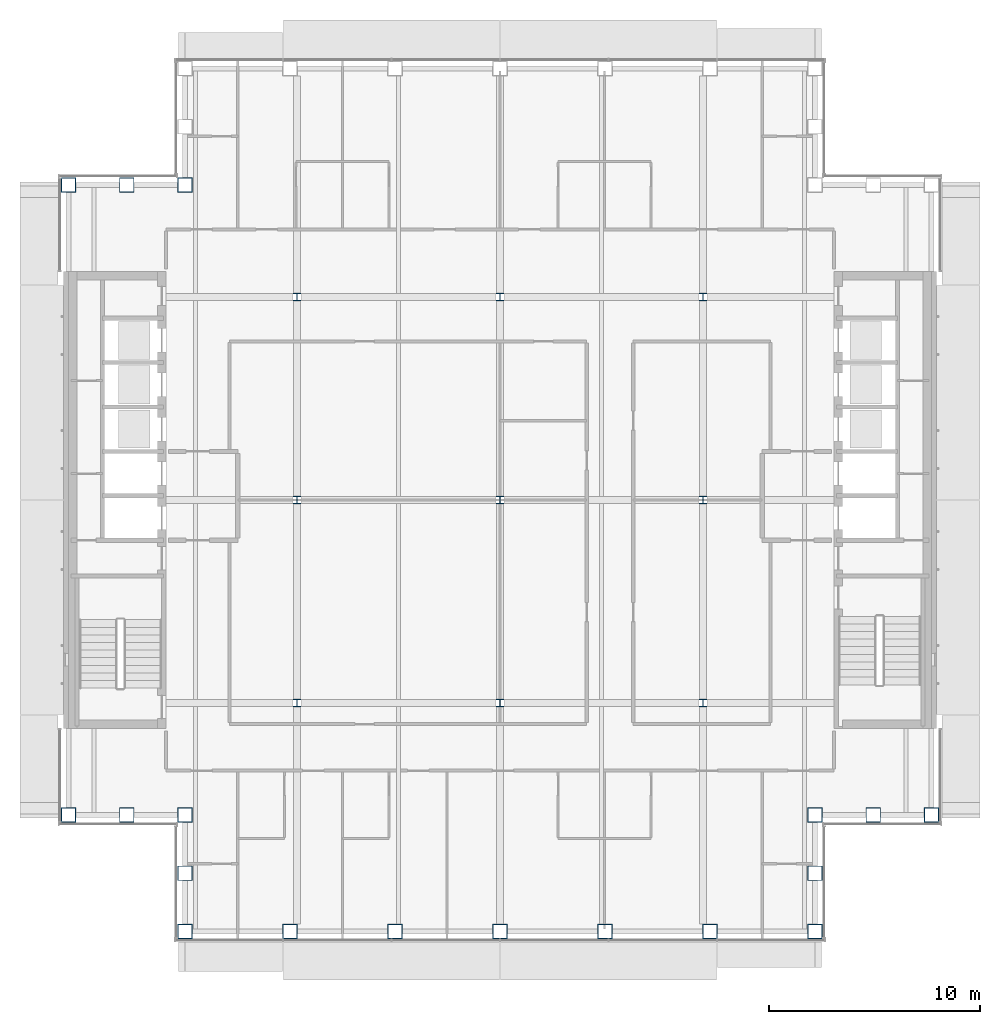
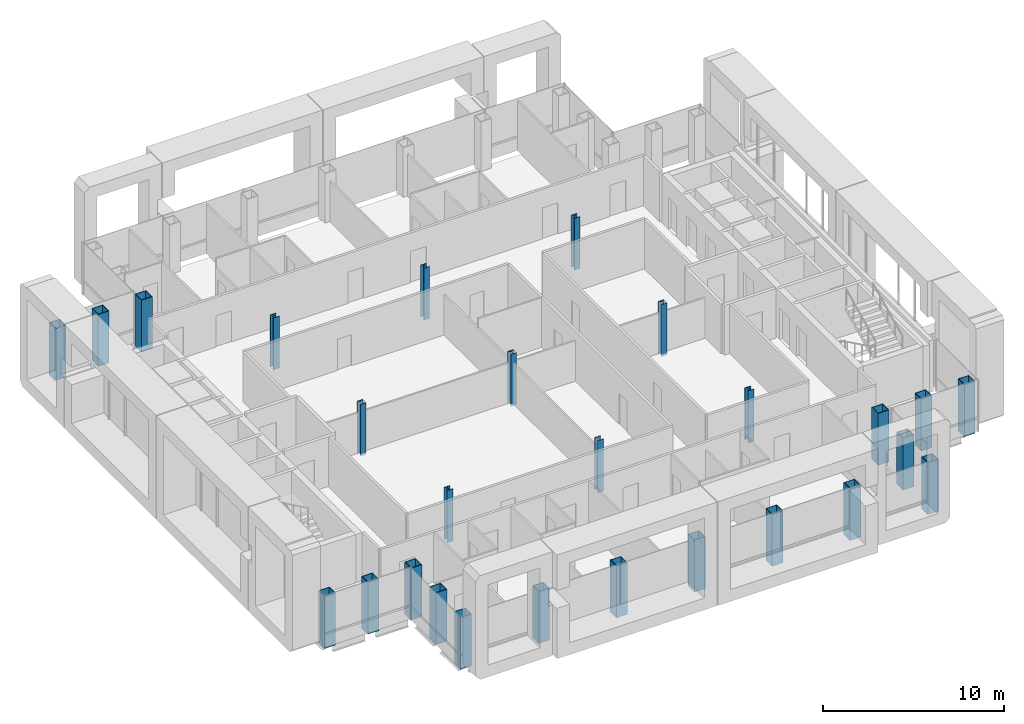
# One storey, part 1 of 19: 27 columns.
"""IFC4 building model written with IfcOpenShell, lengths in metres."""

from ifc_helpers import new_model, si_unit, direction, frame, origin, origin_2d, place, context, subcontext, project, spatial, hollow_rectangle, i_section, extrude, material, material_profile, profile_set, type_object, element, save


model = new_model("IFC4")

# Units and contexts
model_context = context("Model", 3, precision=1e-05, world=origin(), true_north=direction((0.0, 1.0)))
body_context = subcontext(model_context, "Body", "Model", "MODEL_VIEW")
ifc_project = project(units=[si_unit("LENGTHUNIT", "METRE"), si_unit("AREAUNIT", "SQUARE_METRE"), si_unit("VOLUMEUNIT", "CUBIC_METRE"), si_unit("PLANEANGLEUNIT", "RADIAN"), si_unit("MASSUNIT", "GRAM", prefix="KILO")], contexts=[model_context])

# Site, building, storey
site_placement = place(None, origin())
site = spatial("IfcSite", under=ifc_project, at=site_placement, CompositionType="ELEMENT")
building_placement = place(site_placement, origin())
building = spatial("IfcBuilding", under=site, at=building_placement, Name="Cobrizo Arcos Hotel Tower", CompositionType="ELEMENT")
storey_placement = place(building_placement, frame((0.0, 0.0, 205.0)))
storey = spatial("IfcBuildingStorey", under=building, at=storey_placement, Name="L53", CompositionType="ELEMENT", Elevation=205.0)

# Columns
ifc_material_1 = material(Name="Steel ASTM A572 Grade 50", Category="steel")
ifc_material_profile_1 = material_profile(ifc_material_1, hollow_rectangle(XDim=0.699951171875, YDim=0.699951171875, WallThickness=0.0400390625, at=origin_2d()), Name="BOX 700X700X40")
ifc_profile_set_1 = profile_set([ifc_material_profile_1], Name="Steel ASTM A572 Grade 50")
column_type_1 = type_object("IfcColumnType", Name="BOX 700X700X40 column", PredefinedType="COLUMN", material=ifc_profile_set_1)
for number, where, z_axis, x_axis, name in (
    (1, (-14.89990234375, -20.39990234375, -0.14990234375), (0.0, 0.0, 1.0), (1.0, 0.0, 0.0), "Perimeter column C10, L53, no. 01"),
    (2, (-9.93310546875, -20.39990234375, -0.14990234375), (0.0, 0.0, 1.0), (1.0, 0.0, 0.0), "Perimeter column C10, L53, no. 03"),
    (3, (-4.967041015625, -20.39990234375, -0.14990234375), (0.0, 0.0, 1.0), (1.0, 0.0, 0.0), "Perimeter column C10, L53, no. 05"),
    (4, (0.0, -20.39990234375, -0.14990234375), (0.0, 0.0, 1.0), (1.0, 0.0, 0.0), "Perimeter column C10, L53, no. 07"),
    (5, (4.967041015625, -20.39990234375, -0.14990234375), (0.0, 0.0, 1.0), (1.0, 0.0, 0.0), "Perimeter column C10, L53, no. 09"),
    (6, (9.93310546875, -20.39990234375, -0.14990234375), (0.0, 0.0, 1.0), (1.0, 0.0, 0.0), "Perimeter column C10, L53, no. 11"),
    (7, (14.89990234375, -20.39990234375, -0.14990234375), (0.0, 0.0, 1.0), (1.0, 0.0, 0.0), "Perimeter column C10, L53, no. 13"),
    (8, (20.39990234375, -14.89990234375, -0.14990234375), (0.0, 0.0, 1.0), (1.0, 0.0, 0.0), "Perimeter column C10, L53, no. 14"),
    (9, (-20.39990234375, -14.89990234375, -0.14990234375), (0.0, 0.0, 1.0), (1.0, 0.0, 0.0), "Perimeter column C10, L53, no. 15"),
    (10, (-20.39990234375, 14.89990234375, -0.14990234375), (0.0, 0.0, 1.0), (1.0, 0.0, 0.0), "Perimeter column C10, L53, no. 17"),
    (11, (-14.89990234375, -14.89990234375, -0.14990234375), (0.0, 0.0, 1.0), (1.0, 0.0, 0.0), "Perimeter column C10, L53, no. 18"),
    (12, (-14.89990234375, -17.64990234375, -0.14990234375), (0.0, 0.0, 1.0), (1.0, 0.0, 0.0), "Perimeter column C10, L53, no. 19"),
    (13, (-17.64990234375, -14.89990234375, -0.14990234375), (0.0, 0.0, 1.0), (1.0, 0.0, 0.0), "Perimeter column C10, L53, no. 20"),
    (14, (-14.89990234375, 14.89990234375, -0.14990234375), (0.0, 0.0, 1.0), (1.0, 0.0, 0.0), "Perimeter column C10, L53, no. 21"),
    (15, (-17.64990234375, 14.89990234375, -0.14990234375), (0.0, 0.0, 1.0), (1.0, 0.0, 0.0), "Perimeter column C10, L53, no. 23"),
    (16, (14.89990234375, -14.89990234375, -0.14990234375), (0.0, 0.0, 1.0), (1.0, 0.0, 0.0), "Perimeter column C10, L53, no. 24"),
    (17, (14.89990234375, -17.64990234375, -0.14990234375), (0.0, 0.0, 1.0), (1.0, 0.0, 0.0), "Perimeter column C10, L53, no. 25"),
    (18, (17.64990234375, -14.89990234375, -0.14990234375), (0.0, 0.0, 1.0), (1.0, 0.0, 0.0), "Perimeter column C10, L53, no. 26"),
):
    element("IfcColumn", number, at=place(storey_placement, frame(where, z_axis=z_axis, x_axis=x_axis)), inside=storey, type_object=column_type_1, Name=name, PredefinedType="COLUMN", context=body_context, shape_type="SweptSolid", body=[
        extrude(hollow_rectangle(XDim=0.699951171875, YDim=0.699951171875, WallThickness=0.0400390625, at=origin_2d()), origin(), (0.0, 0.0, 1.0), 3.5),
    ])
ifc_material_2 = material(Name="Steel ASTM A992 Grade 50", Category="steel")
ifc_material_profile_2 = material_profile(ifc_material_2, i_section(OverallWidth=0.373291015625, OverallDepth=0.373291015625, WebThickness=0.016357421875, FlangeThickness=0.026123046875, at=origin_2d()), Name="W14X132")
ifc_profile_set_2 = profile_set([ifc_material_profile_2], Name="Steel ASTM A992 Grade 50")
column_type_2 = type_object("IfcColumnType", Name="W14X132 interior column", PredefinedType="COLUMN", material=ifc_profile_set_2)
for number, where, z_axis, x_axis, name in (
    (19, (-9.60009765625, -9.60009765625, -0.14990234375), (0.0, 0.0, 1.0), (1.0, 0.0, 0.0), "Interior column C9, L53, no. 00"),
    (20, (-9.60009765625, 0.0, -0.14990234375), (0.0, 0.0, 1.0), (1.0, 0.0, 0.0), "Interior column C9, L53, no. 01"),
    (21, (-9.60009765625, 9.60009765625, -0.14990234375), (0.0, 0.0, 1.0), (1.0, 0.0, 0.0), "Interior column C9, L53, no. 02"),
    (22, (0.0, -9.60009765625, -0.14990234375), (0.0, 0.0, 1.0), (1.0, 0.0, 0.0), "Interior column C9, L53, no. 03"),
    (23, (0.0, 0.0, -0.14990234375), (0.0, 0.0, 1.0), (1.0, 0.0, 0.0), "Interior column C9, L53, no. 04"),
    (24, (0.0, 9.60009765625, -0.14990234375), (0.0, 0.0, 1.0), (1.0, 0.0, 0.0), "Interior column C9, L53, no. 05"),
    (25, (9.60009765625, -9.60009765625, -0.14990234375), (0.0, 0.0, 1.0), (1.0, 0.0, 0.0), "Interior column C9, L53, no. 06"),
    (26, (9.60009765625, 0.0, -0.14990234375), (0.0, 0.0, 1.0), (1.0, 0.0, 0.0), "Interior column C9, L53, no. 07"),
    (27, (9.60009765625, 9.60009765625, -0.14990234375), (0.0, 0.0, 1.0), (1.0, 0.0, 0.0), "Interior column C9, L53, no. 08"),
):
    element("IfcColumn", number, at=place(storey_placement, frame(where, z_axis=z_axis, x_axis=x_axis)), inside=storey, type_object=column_type_2, Name=name, PredefinedType="COLUMN", context=body_context, shape_type="SweptSolid", body=[
        extrude(i_section(OverallWidth=0.373291015625, OverallDepth=0.373291015625, WebThickness=0.016357421875, FlangeThickness=0.026123046875, at=origin_2d()), origin(), (0.0, 0.0, 1.0), 3.5),
    ])

save(model, "model.ifc")
